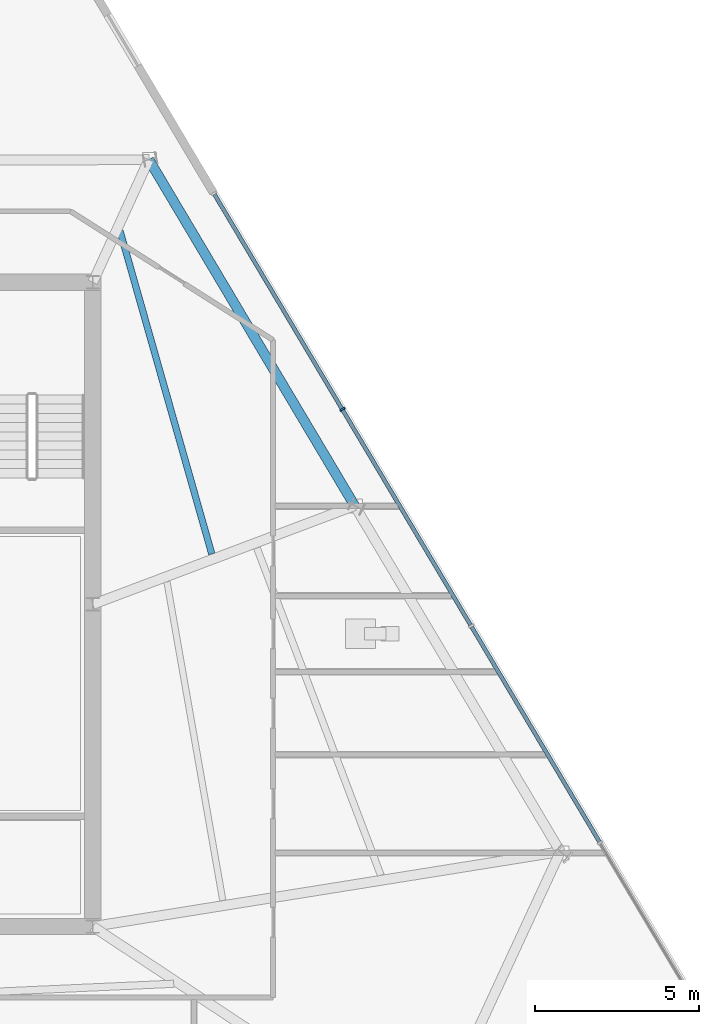
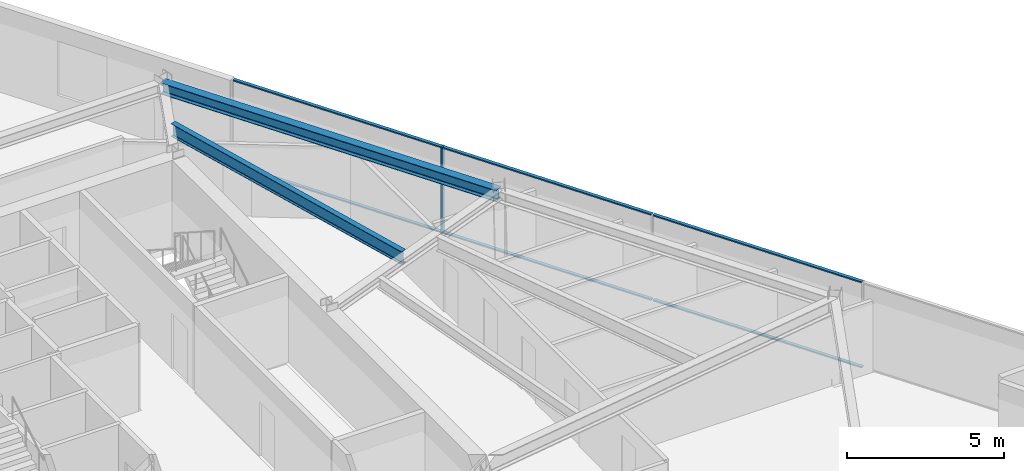
# One storey, part 6 of 16: 7 members, 2 beams, 1 element without a shape of its own.
"""IFC4 building model written with IfcOpenShell, lengths in metres."""

from ifc_helpers import new_model, si_unit, direction, frame, origin, origin_2d, place, context, subcontext, project, spatial, rectangle, i_section, extrude, material, material_profile, profile_set, type_object, element, aggregate, save


model = new_model("IFC4")

# Units and contexts
model_context = context("Model", 3, precision=1e-05, world=origin(), true_north=direction((0.0, 1.0)))
body_context = subcontext(model_context, "Body", "Model", "MODEL_VIEW")
ifc_project = project(units=[si_unit("LENGTHUNIT", "METRE"), si_unit("AREAUNIT", "SQUARE_METRE"), si_unit("VOLUMEUNIT", "CUBIC_METRE"), si_unit("PLANEANGLEUNIT", "RADIAN"), si_unit("MASSUNIT", "GRAM", prefix="KILO")], contexts=[model_context])

# Site, building, storey
site_placement = place(None, origin())
site = spatial("IfcSite", under=ifc_project, at=site_placement, CompositionType="ELEMENT")
building_placement = place(site_placement, origin())
building = spatial("IfcBuilding", under=site, at=building_placement, Name="Savorim Split Tower", CompositionType="ELEMENT")
storey_placement = place(building_placement, frame((0.0, 0.0, 153.0)))
storey = spatial("IfcBuildingStorey", under=building, at=storey_placement, Name="L40", CompositionType="ELEMENT", Elevation=153.0)

# Beams
ifc_material_1 = material(Name="Steel S355", Category="steel")
ifc_material_profile_1 = material_profile(ifc_material_1, i_section(OverallWidth=0.199951171875, OverallDepth=0.5, WebThickness=0.01025390625, FlangeThickness=0.01611328125, FilletRadius=0.02099609375, at=origin_2d()), Name="IPE 500")
ifc_profile_set_1 = profile_set([ifc_material_profile_1], Name="Steel S355")
beam_type_1 = type_object("IfcBeamType", Name="BM-JST-IPE500", PredefinedType="JOIST", material=ifc_profile_set_1)
beam_1_placement = place(storey_placement, frame((11.320068359375, 1.93603515625, 3.10009765625), z_axis=(-0.273281362571, 0.961934143729, 0.0), x_axis=(-0.961934143729, -0.273281362571, 0.0)))
element("IfcBeam", 1, at=beam_1_placement, inside=storey, type_object=beam_type_1, Name="L40 Secondary Floor Joist JS-07", PredefinedType="JOIST", context=body_context, shape_type="SweptSolid", body=[
    extrude(i_section(OverallWidth=0.199951171875, OverallDepth=0.5, WebThickness=0.01025390625, FlangeThickness=0.01611328125, FilletRadius=0.02099609375, at=origin_2d()), origin(), (0.0, 0.0, 1.0), 10.21484375),
])
ifc_material_profile_2 = material_profile(ifc_material_1, i_section(OverallWidth=0.300048828125, OverallDepth=0.43994140625, WebThickness=0.011474609375, FlangeThickness=0.02099609375, FilletRadius=0.027099609375, at=origin_2d()), Name="HEA 450")
ifc_profile_set_2 = profile_set([ifc_material_profile_2], Name="Steel S355")
beam_type_2 = type_object("IfcBeamType", Name="BM-SPN-HEA450", PredefinedType="SPANDREL", material=ifc_profile_set_2)
beam_2_placement = place(storey_placement, frame((15.664794921875, 3.40478515625, 3.1298828125), z_axis=(-0.511096492203, 0.859523342125, 0.0), x_axis=(-0.859523342125, -0.511096492203, 0.0)))
element("IfcBeam", 2, at=beam_2_placement, inside=storey, type_object=beam_type_2, Name="L40 Perimeter Spandrel Beam 6", PredefinedType="SPANDREL", context=body_context, shape_type="SweptSolid", body=[
    extrude(i_section(OverallWidth=0.300048828125, OverallDepth=0.43994140625, WebThickness=0.011474609375, FlangeThickness=0.02099609375, FilletRadius=0.027099609375, at=origin_2d()), origin(), (0.0, 0.0, 1.0), 12.245361328125),
])

# Curtain wall, members
ifc_material_2 = material(Name="Dark Ceramic-Fritted Insulated Glass", Category="glass")
curtain_wall_type = type_object("IfcCurtainWallType", Name="CW-TWR-FRIT-B", PredefinedType="NOTDEFINED", material=ifc_material_2)
curtain_wall_placement = place(storey_placement, origin())
curtain_wall = element("IfcCurtainWall", 3, at=curtain_wall_placement, inside=storey, type_object=curtain_wall_type, Name="L40 Curtain Wall CW-L40-EAST", PredefinedType="NOTDEFINED")
ifc_material_3 = material(Name="Charcoal Anodised Aluminium", Category="aluminium")
ifc_material_profile_3 = material_profile(ifc_material_3, rectangle(XDim=0.159912109375, YDim=0.06005859375, at=origin_2d()), Name="ALU-M 160x60")
ifc_profile_set_3 = profile_set([ifc_material_profile_3], Name="Charcoal Anodised Aluminium")
member_type_1 = type_object("IfcMemberType", Name="CWM-160x60", PredefinedType="MULLION", material=ifc_profile_set_3)
member_1_placement = place(storey_placement, frame((15.2900390625, 6.334228515625, 0.0), z_axis=(0.0, 0.0, 1.0), x_axis=(-0.859526328423, -0.511091470039, 0.0)))
member_1 = element("IfcMember", 4, at=member_1_placement, type_object=member_type_1, Name="CW-03 mullion 4", PredefinedType="MULLION", context=body_context, shape_type="SweptSolid", body=[
    extrude(rectangle(XDim=0.159912109375, YDim=0.06005859375, at=origin_2d()), origin(), (0.0, 0.0, 1.0), 3.35009765625),
])
ifc_material_profile_4 = material_profile(ifc_material_3, rectangle(XDim=0.1201171875, YDim=0.050048828125, at=origin_2d()), Name="ALU-T 120x50")
ifc_profile_set_4 = profile_set([ifc_material_profile_4], Name="Charcoal Anodised Aluminium")
member_type_2 = type_object("IfcMemberType", Name="CWT-120x50", PredefinedType="USERDEFINED", material=ifc_profile_set_4)
member_2_placement = place(storey_placement, frame((23.114013671875, -6.82373046875, 0.02490234375), z_axis=(-0.511085002819, 0.859530173929, 0.0), x_axis=(-0.859530173929, -0.511085002819, 0.0)))
member_2 = element("IfcMember", 5, at=member_2_placement, type_object=member_type_2, Name="CW-03 transom 2.1", ObjectType="TRANSOM", PredefinedType="USERDEFINED", context=body_context, shape_type="SweptSolid", body=[
    extrude(rectangle(XDim=0.1201171875, YDim=0.050048828125, at=origin_2d()), origin(), (0.0, 0.0, 1.0), 7.609130859375),
])
member_3_placement = place(storey_placement, frame((23.114013671875, -6.82373046875, 3.324951171875), z_axis=(-0.511085002819, 0.859530173929, 0.0), x_axis=(-0.859530173929, -0.511085002819, 0.0)))
member_3 = element("IfcMember", 6, at=member_3_placement, type_object=member_type_2, Name="CW-03 transom 2.2", ObjectType="TRANSOM", PredefinedType="USERDEFINED", context=body_context, shape_type="SweptSolid", body=[
    extrude(rectangle(XDim=0.1201171875, YDim=0.050048828125, at=origin_2d()), origin(), (0.0, 0.0, 1.0), 7.609130859375),
])
member_4_placement = place(storey_placement, frame((19.1943359375, -0.23193359375, 0.02490234375), z_axis=(-0.51107090834, 0.859538554487, 0.0), x_axis=(-0.859538554487, -0.51107090834, 0.0)))
member_4 = element("IfcMember", 7, at=member_4_placement, type_object=member_type_2, Name="CW-03 transom 3.1", ObjectType="TRANSOM", PredefinedType="USERDEFINED", context=body_context, shape_type="SweptSolid", body=[
    extrude(rectangle(XDim=0.1201171875, YDim=0.050048828125, at=origin_2d()), origin(), (0.0, 0.0, 1.0), 7.609375),
])
member_5_placement = place(storey_placement, frame((19.1943359375, -0.23193359375, 3.324951171875), z_axis=(-0.51107090834, 0.859538554487, 0.0), x_axis=(-0.859538554487, -0.51107090834, 0.0)))
member_5 = element("IfcMember", 8, at=member_5_placement, type_object=member_type_2, Name="CW-03 transom 3.2", ObjectType="TRANSOM", PredefinedType="USERDEFINED", context=body_context, shape_type="SweptSolid", body=[
    extrude(rectangle(XDim=0.1201171875, YDim=0.050048828125, at=origin_2d()), origin(), (0.0, 0.0, 1.0), 7.609375),
])
member_6_placement = place(storey_placement, frame((15.274658203125, 6.360107421875, 0.02490234375), z_axis=(-0.511085684195, 0.859529768775, 0.0), x_axis=(-0.859529768775, -0.511085684195, 0.0)))
member_6 = element("IfcMember", 9, at=member_6_placement, type_object=member_type_2, Name="CW-03 transom 4.1", ObjectType="TRANSOM", PredefinedType="USERDEFINED", context=body_context, shape_type="SweptSolid", body=[
    extrude(rectangle(XDim=0.1201171875, YDim=0.050048828125, at=origin_2d()), origin(), (0.0, 0.0, 1.0), 7.5791015625),
])
member_7_placement = place(storey_placement, frame((15.274658203125, 6.360107421875, 3.324951171875), z_axis=(-0.511085684195, 0.859529768775, 0.0), x_axis=(-0.859529768775, -0.511085684195, 0.0)))
member_7 = element("IfcMember", 10, at=member_7_placement, type_object=member_type_2, Name="CW-03 transom 4.2", ObjectType="TRANSOM", PredefinedType="USERDEFINED", context=body_context, shape_type="SweptSolid", body=[
    extrude(rectangle(XDim=0.1201171875, YDim=0.050048828125, at=origin_2d()), origin(), (0.0, 0.0, 1.0), 7.5791015625),
])
aggregate(curtain_wall, [member_1, member_2, member_3, member_4, member_5, member_6, member_7])

save(model, "model.ifc")
